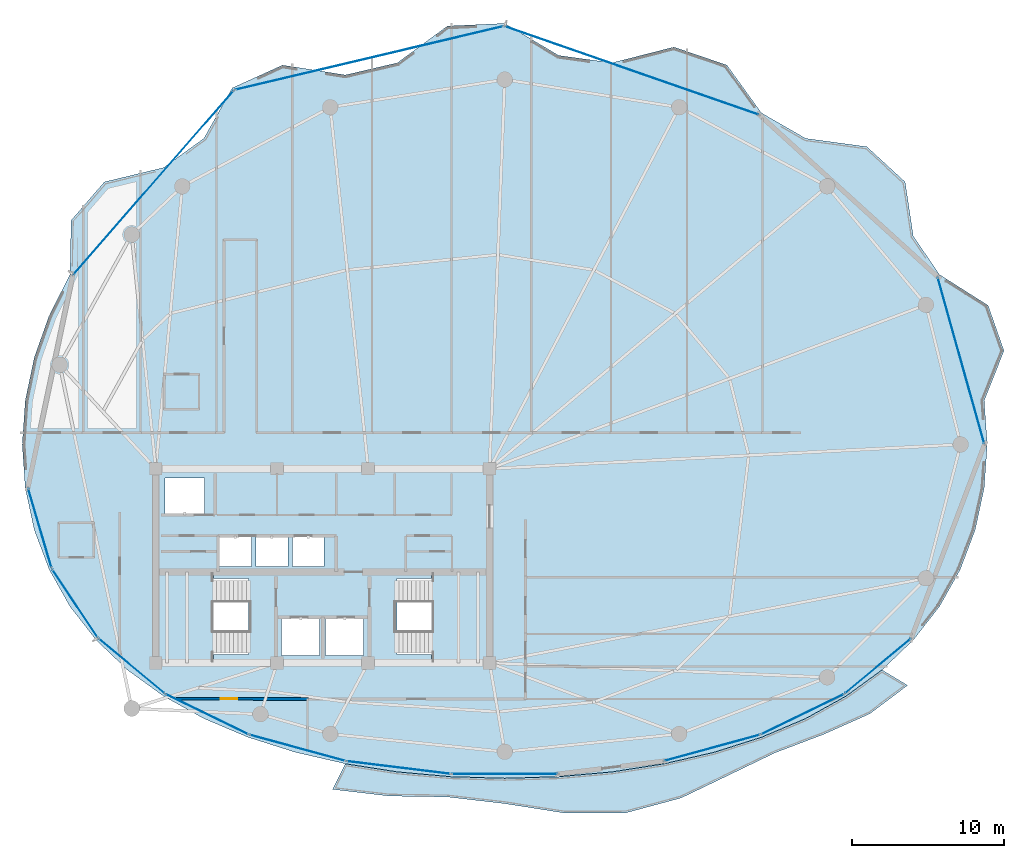
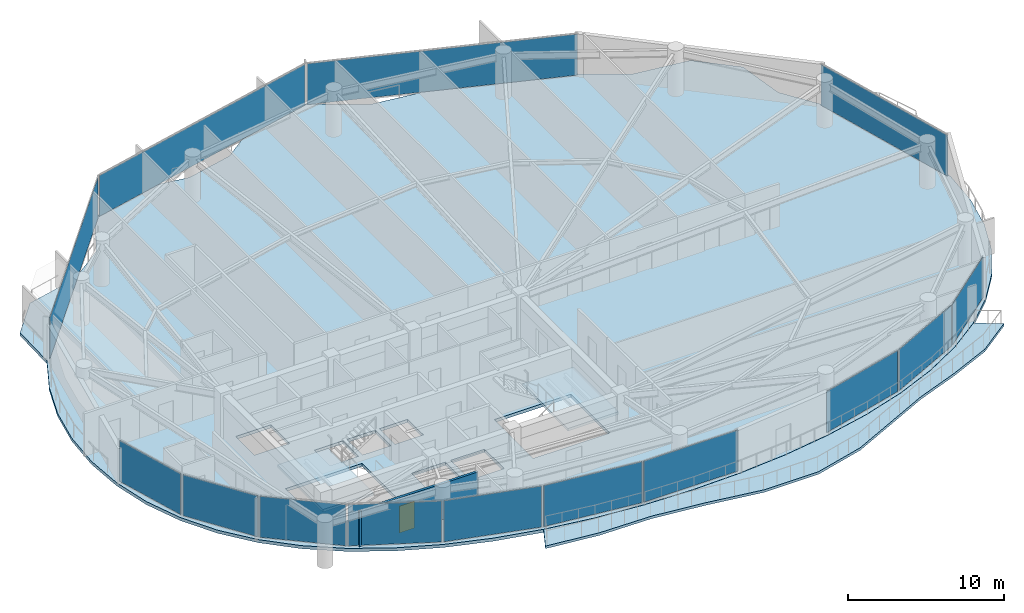
# One storey, part 22 of 29: 14 plates, 4 slabs, 1 door, 1 wall, 1 opening, 16 elements without a shape of their own.
"""IFC4 building model written with IfcOpenShell, lengths in metres."""

from ifc_helpers import new_model, si_unit, direction, frame, frame_2d, origin, origin_2d, place, context, subcontext, project, spatial, polyline, rectangle, outline, extrude, material, layer, layer_set, type_object, element, fill, aggregate, save


model = new_model("IFC4")

# Units and contexts
model_context = context("Model", 3, precision=1e-05, world=origin(), true_north=direction((0.0, 1.0)))
body_context = subcontext(model_context, "Body", "Model", "MODEL_VIEW")
ifc_project = project(units=[si_unit("LENGTHUNIT", "METRE"), si_unit("AREAUNIT", "SQUARE_METRE"), si_unit("VOLUMEUNIT", "CUBIC_METRE"), si_unit("PLANEANGLEUNIT", "RADIAN"), si_unit("MASSUNIT", "GRAM", prefix="KILO")], contexts=[model_context])

# Site, building, storey
site_placement = place(None, origin())
site = spatial("IfcSite", under=ifc_project, at=site_placement, CompositionType="ELEMENT")
building_placement = place(site_placement, origin())
building = spatial("IfcBuilding", under=site, at=building_placement, Name="Kazevale Care Tower and Concert Hall", CompositionType="ELEMENT")
storey_placement = place(building_placement, frame((0.0, 0.0, 199.199951171875)))
storey = spatial("IfcBuildingStorey", under=building, at=storey_placement, Name="L52", CompositionType="ELEMENT", Elevation=199.199951171875)

# Curtain wall, plate
ifc_material_1 = material(Name="Aluminium 6063-T6 and Low-E Glass", Category="aluminium")
ifc_layer_1 = layer(ifc_material_1, 0.179931640625)
ifc_layer_set_1 = layer_set([ifc_layer_1], Name="Aluminium 6063-T6 and Low-E Glass")
curtain_wall_type_1 = type_object("IfcCurtainWallType", Name="Convex Checkerboard Finned Curtain Wall CW-2", PredefinedType="NOTDEFINED", material=ifc_layer_set_1)
curtain_wall_1_placement = place(storey_placement, origin())
curtain_wall_1 = element("IfcCurtainWall", 1, at=curtain_wall_1_placement, inside=storey, type_object=curtain_wall_type_1, Name="cw:L52:f14", PredefinedType="NOTDEFINED")
ifc_material_2 = material(Name="Low-E Laminated Glass", Category="glass")
ifc_layer_2 = layer(ifc_material_2, 0.028076171875)
ifc_layer_set_2 = layer_set([ifc_layer_2], Name="Low-E Laminated Glass")
plate_type_1 = type_object("IfcPlateType", Name="CW-2 Low-E Glazing Panel 28mm", PredefinedType="CURTAIN_PANEL", material=ifc_layer_set_2)
plate_1_placement = place(storey_placement, frame((21.85009765625, 55.2529296875, 0.074951171875), z_axis=(0.0, 0.0, 1.0), x_axis=(0.657174776708, 0.753738225685, 0.0)))
plate_1 = element("IfcPlate", 2, at=plate_1_placement, type_object=plate_type_1, Name="CW-2 panel 1.1", PredefinedType="CURTAIN_PANEL", context=body_context, shape_type="SweptSolid", body=[
    extrude(rectangle(XDim=16.03662109375, YDim=0.028076171875, at=origin_2d()), origin(), (0.0, 0.0, 1.0), 3.2099609375),
])
aggregate(curtain_wall_1, [plate_1])

curtain_wall_2_placement = place(storey_placement, origin())
curtain_wall_2 = element("IfcCurtainWall", 3, at=curtain_wall_2_placement, inside=storey, type_object=curtain_wall_type_1, Name="cw:L52:f16", PredefinedType="NOTDEFINED")
plate_2_placement = place(storey_placement, frame((53.37451171875, 62.638427734375, 0.074951171875), z_axis=(0.0, 0.0, 1.0), x_axis=(0.94447485363, -0.328583704497, 0.0)))
plate_2 = element("IfcPlate", 4, at=plate_2_placement, type_object=plate_type_1, Name="CW-2 panel 1.1", PredefinedType="CURTAIN_PANEL", context=body_context, shape_type="SweptSolid", body=[
    extrude(rectangle(XDim=17.671142578125, YDim=0.028076171875, at=origin_2d()), origin(), (0.0, 0.0, 1.0), 3.2099609375),
])
aggregate(curtain_wall_2, [plate_2])

ifc_layer_3 = layer(ifc_material_1, 0.179931640625)
ifc_layer_set_3 = layer_set([ifc_layer_3], Name="Aluminium 6063-T6 and Low-E Glass")
curtain_wall_type_2 = type_object("IfcCurtainWallType", Name="Waist & Upper Residential Curtain Wall CW-4", PredefinedType="NOTDEFINED", material=ifc_layer_set_3)
curtain_wall_3_placement = place(storey_placement, origin())
curtain_wall_3 = element("IfcCurtainWall", 5, at=curtain_wall_3_placement, inside=storey, type_object=curtain_wall_type_2, Name="cw:L52:f11", PredefinedType="NOTDEFINED")
ifc_layer_4 = layer(ifc_material_2, 0.030029296875)
ifc_layer_set_4 = layer_set([ifc_layer_4], Name="Low-E Laminated Glass")
plate_type_2 = type_object("IfcPlateType", Name="CW-4 Low-E Glazing Panel 30mm", PredefinedType="CURTAIN_PANEL", material=ifc_layer_set_4)
plate_3_placement = place(storey_placement, frame((16.677978515625, 27.525390625, 0.080078125), z_axis=(0.0, 0.0, 1.0), x_axis=(-0.554616540853, 0.832106058512, 0.0)))
plate_3 = element("IfcPlate", 6, at=plate_3_placement, type_object=plate_type_2, Name="CW-4 panel 1.1", PredefinedType="CURTAIN_PANEL", context=body_context, shape_type="SweptSolid", body=[
    extrude(rectangle(XDim=5.357421875, YDim=0.030029296875, at=origin_2d()), origin(), (0.0, 0.0, 1.0), 3.199951171875),
])
aggregate(curtain_wall_3, [plate_3])

curtain_wall_4_placement = place(storey_placement, origin())
curtain_wall_4 = element("IfcCurtainWall", 7, at=curtain_wall_4_placement, inside=storey, type_object=curtain_wall_type_2, Name="cw:L52:f12", PredefinedType="NOTDEFINED")
plate_4_placement = place(storey_placement, frame((14.363525390625, 32.489013671875, 0.080078125), z_axis=(0.0, 0.0, 1.0), x_axis=(-0.282098184457, 0.959385539982, 0.0)))
plate_4 = element("IfcPlate", 8, at=plate_4_placement, type_object=plate_type_2, Name="CW-4 panel 1.1", PredefinedType="CURTAIN_PANEL", context=body_context, shape_type="SweptSolid", body=[
    extrude(rectangle(XDim=5.40185546875, YDim=0.030029296875, at=origin_2d()), origin(), (0.0, 0.0, 1.0), 3.199951171875),
])
aggregate(curtain_wall_4, [plate_4])

curtain_wall_5_placement = place(storey_placement, origin())
curtain_wall_5 = element("IfcCurtainWall", 9, at=curtain_wall_5_placement, inside=storey, type_object=curtain_wall_type_2, Name="cw:L52:f15", PredefinedType="NOTDEFINED")
plate_5_placement = place(storey_placement, frame((36.06298828125, 63.46240234375, 0.080078125), z_axis=(0.0, 0.0, 1.0), x_axis=(0.973086746233, 0.230439111929, 0.0)))
plate_5 = element("IfcPlate", 10, at=plate_5_placement, type_object=plate_type_2, Name="CW-4 panel 1.1", PredefinedType="CURTAIN_PANEL", context=body_context, shape_type="SweptSolid", body=[
    extrude(rectangle(XDim=18.11376953125, YDim=0.030029296875, at=origin_2d()), origin(), (0.0, 0.0, 1.0), 3.199951171875),
])
aggregate(curtain_wall_5, [plate_5])

curtain_wall_6_placement = place(storey_placement, origin())
curtain_wall_6 = element("IfcCurtainWall", 11, at=curtain_wall_6_placement, inside=storey, type_object=curtain_wall_type_2, Name="cw:L52:f18", PredefinedType="NOTDEFINED")
plate_6_placement = place(storey_placement, frame((75.071533203125, 43.531005859375, 0.080078125), z_axis=(0.0, 0.0, 1.0), x_axis=(0.269600864915, -0.962972156211, 0.0)))
plate_6 = element("IfcPlate", 12, at=plate_6_placement, type_object=plate_type_2, Name="CW-4 panel 1.1", PredefinedType="CURTAIN_PANEL", context=body_context, shape_type="SweptSolid", body=[
    extrude(rectangle(XDim=11.327392578125, YDim=0.030029296875, at=origin_2d()), origin(), (0.0, 0.0, 1.0), 3.199951171875),
])
aggregate(curtain_wall_6, [plate_6])

ifc_layer_5 = layer(ifc_material_1, 0.179931640625)
ifc_layer_set_5 = layer_set([ifc_layer_5], Name="Aluminium 6063-T6 and Low-E Glass")
curtain_wall_type_3 = type_object("IfcCurtainWallType", Name="Sheltered Concave Balcony Curtain Wall CW-5", PredefinedType="NOTDEFINED", material=ifc_layer_set_5)
curtain_wall_7_placement = place(storey_placement, origin())
curtain_wall_7 = element("IfcCurtainWall", 13, at=curtain_wall_7_placement, inside=storey, type_object=curtain_wall_type_3, Name="cw:L52:f02", PredefinedType="NOTDEFINED")
ifc_layer_6 = layer(ifc_material_2, 0.02587890625)
ifc_layer_set_6 = layer_set([ifc_layer_6], Name="Low-E Laminated Glass")
plate_type_3 = type_object("IfcPlateType", Name="CW-5 Low-E Glazing Panel 26mm", PredefinedType="CURTAIN_PANEL", material=ifc_layer_set_6)
plate_7_placement = place(storey_placement, frame((69.590576171875, 23.396484375, 0.074951171875), z_axis=(0.0, 0.0, 1.0), x_axis=(-0.768407210062, -0.639961217204, 0.0)))
plate_7 = element("IfcPlate", 14, at=plate_7_placement, type_object=plate_type_3, Name="CW-5 panel 1.1", PredefinedType="CURTAIN_PANEL", context=body_context, shape_type="SweptSolid", body=[
    extrude(rectangle(XDim=5.580078125, YDim=0.02587890625, at=origin_2d()), origin(), (0.0, 0.0, 1.0), 3.2099609375),
])
aggregate(curtain_wall_7, [plate_7])

curtain_wall_8_placement = place(storey_placement, origin())
curtain_wall_8 = element("IfcCurtainWall", 15, at=curtain_wall_8_placement, inside=storey, type_object=curtain_wall_type_3, Name="cw:L52:f03", PredefinedType="NOTDEFINED")
plate_8_placement = place(storey_placement, frame((64.62255859375, 20.218017578125, 0.074951171875), z_axis=(0.0, 0.0, 1.0), x_axis=(-0.89934566163, -0.437238357087, 0.0)))
plate_8 = element("IfcPlate", 16, at=plate_8_placement, type_object=plate_type_3, Name="CW-5 panel 1.1", PredefinedType="CURTAIN_PANEL", context=body_context, shape_type="SweptSolid", body=[
    extrude(rectangle(XDim=6.002197265625, YDim=0.02587890625, at=origin_2d()), origin(), (0.0, 0.0, 1.0), 3.2099609375),
])
aggregate(curtain_wall_8, [plate_8])

curtain_wall_9_placement = place(storey_placement, origin())
curtain_wall_9 = element("IfcCurtainWall", 17, at=curtain_wall_9_placement, inside=storey, type_object=curtain_wall_type_3, Name="cw:L52:f04", PredefinedType="NOTDEFINED")
plate_9_placement = place(storey_placement, frame((58.66259765625, 18.0029296875, 0.074951171875), z_axis=(0.0, 0.0, 1.0), x_axis=(-0.964836991167, -0.262848968947, 0.0)))
plate_9 = element("IfcPlate", 18, at=plate_9_placement, type_object=plate_type_3, Name="CW-5 panel 1.1", PredefinedType="CURTAIN_PANEL", context=body_context, shape_type="SweptSolid", body=[
    extrude(rectangle(XDim=6.4697265625, YDim=0.02587890625, at=origin_2d()), origin(), (0.0, 0.0, 1.0), 3.2099609375),
])
aggregate(curtain_wall_9, [plate_9])

curtain_wall_10_placement = place(storey_placement, origin())
curtain_wall_10 = element("IfcCurtainWall", 19, at=curtain_wall_10_placement, inside=storey, type_object=curtain_wall_type_3, Name="cw:L52:f06", PredefinedType="NOTDEFINED")
plate_10_placement = place(storey_placement, frame((45.0, 16.284912109375, 0.074951171875), z_axis=(0.0, 0.0, 1.0), x_axis=(-1.0, 0.0, 0.0)))
plate_10 = element("IfcPlate", 20, at=plate_10_placement, type_object=plate_type_3, Name="CW-5 panel 1.1", PredefinedType="CURTAIN_PANEL", context=body_context, shape_type="SweptSolid", body=[
    extrude(rectangle(XDim=6.949951171875, YDim=0.02587890625, at=origin_2d()), origin(), (0.0, 0.0, 1.0), 3.2099609375),
])
aggregate(curtain_wall_10, [plate_10])

curtain_wall_11_placement = place(storey_placement, origin())
curtain_wall_11 = element("IfcCurtainWall", 21, at=curtain_wall_11_placement, inside=storey, type_object=curtain_wall_type_3, Name="cw:L52:f07", PredefinedType="NOTDEFINED")
plate_11_placement = place(storey_placement, frame((37.990478515625, 16.708984375, 0.074951171875), z_axis=(0.0, 0.0, 1.0), x_axis=(-0.992572961225, 0.121650797964, 0.0)))
plate_11 = element("IfcPlate", 22, at=plate_11_placement, type_object=plate_type_3, Name="CW-5 panel 1.1", PredefinedType="CURTAIN_PANEL", context=body_context, shape_type="SweptSolid", body=[
    extrude(rectangle(XDim=6.82080078125, YDim=0.02587890625, at=origin_2d()), origin(), (0.0, 0.0, 1.0), 3.2099609375),
])
aggregate(curtain_wall_11, [plate_11])

curtain_wall_12_placement = place(storey_placement, origin())
curtain_wall_12 = element("IfcCurtainWall", 23, at=curtain_wall_12_placement, inside=storey, type_object=curtain_wall_type_3, Name="cw:L52:f08", PredefinedType="NOTDEFINED")
plate_12_placement = place(storey_placement, frame((31.33740234375, 18.0029296875, 0.074951171875), z_axis=(0.0, 0.0, 1.0), x_axis=(-0.964836991167, 0.262848968947, 0.0)))
plate_12 = element("IfcPlate", 24, at=plate_12_placement, type_object=plate_type_3, Name="CW-5 panel 1.1", PredefinedType="CURTAIN_PANEL", context=body_context, shape_type="SweptSolid", body=[
    extrude(rectangle(XDim=6.4697265625, YDim=0.02587890625, at=origin_2d()), origin(), (0.0, 0.0, 1.0), 3.2099609375),
])
aggregate(curtain_wall_12, [plate_12])

curtain_wall_13_placement = place(storey_placement, origin())
curtain_wall_13 = element("IfcCurtainWall", 25, at=curtain_wall_13_placement, inside=storey, type_object=curtain_wall_type_3, Name="cw:L52:f09", PredefinedType="NOTDEFINED")
plate_13_placement = place(storey_placement, frame((25.37744140625, 20.218017578125, 0.074951171875), z_axis=(0.0, 0.0, 1.0), x_axis=(-0.89934566163, 0.437238357087, 0.0)))
plate_13 = element("IfcPlate", 26, at=plate_13_placement, type_object=plate_type_3, Name="CW-5 panel 1.1", PredefinedType="CURTAIN_PANEL", context=body_context, shape_type="SweptSolid", body=[
    extrude(rectangle(XDim=6.002197265625, YDim=0.02587890625, at=origin_2d()), origin(), (0.0, 0.0, 1.0), 3.2099609375),
])
aggregate(curtain_wall_13, [plate_13])

curtain_wall_14_placement = place(storey_placement, origin())
curtain_wall_14 = element("IfcCurtainWall", 27, at=curtain_wall_14_placement, inside=storey, type_object=curtain_wall_type_3, Name="cw:L52:f10", PredefinedType="NOTDEFINED")
plate_14_placement = place(storey_placement, frame((20.409423828125, 23.396484375, 0.074951171875), z_axis=(0.0, 0.0, 1.0), x_axis=(-0.768407210062, 0.639961217204, 0.0)))
plate_14 = element("IfcPlate", 28, at=plate_14_placement, type_object=plate_type_3, Name="CW-5 panel 1.1", PredefinedType="CURTAIN_PANEL", context=body_context, shape_type="SweptSolid", body=[
    extrude(rectangle(XDim=5.580078125, YDim=0.02587890625, at=origin_2d()), origin(), (0.0, 0.0, 1.0), 3.2099609375),
])
aggregate(curtain_wall_14, [plate_14])

# Slab
ifc_material_3 = material(Name="Concrete C40", Category="concrete")
ifc_layer_7 = layer(ifc_material_3, 0.199951171875)
ifc_layer_set_7 = layer_set([ifc_layer_7], Name="Concrete C40")
slab_type_1 = type_object("IfcSlabType", Name="Sinusoidal Concave Balcony Slab 200", PredefinedType="USERDEFINED", material=ifc_layer_set_7)
slab_1_placement = place(storey_placement, frame((0.0, 0.0, -0.199951171875)))
element("IfcSlab", 29, at=slab_1_placement, inside=storey, type_object=slab_type_1, Name="slab:L52:bal", ObjectType="BALCONY", PredefinedType="USERDEFINED", context=body_context, shape_type="SweptSolid", body=[
    extrude(outline(polyline([(71.552978515625, 22.126220703125), (69.058837890625, 20.250244140625), (65.982421875, 18.881103515625), (62.81591796875, 17.68017578125), (59.806884765625, 16.2294921875), (56.627685546875, 14.702392578125), (52.9638671875, 13.71533203125), (48.950439453125, 13.706787109375), (45.0, 14.329833984375), (41.22216796875, 14.7685546875), (37.401123046875, 14.828369140625), (33.65478515625, 15.2685546875), (34.494873046875, 16.951416015625), (34.49609375, 16.951171875), (37.923095703125, 16.417236328125), (41.439208984375, 16.10009765625), (45.0, 15.9951171875), (48.560791015625, 16.10009765625), (52.076904296875, 16.417236328125), (55.50390625, 16.951171875), (58.798828125, 17.708740234375), (61.92041015625, 18.69873046875), (64.8291015625, 19.92919921875), (67.48876953125, 21.406494140625), (69.865478515625, 23.133056640625), (69.86669921875, 23.13427734375), (71.552978515625, 22.126220703125)])), origin(), (0.0, 0.0, 1.0), 0.199951171875),
])

# Stair, slab
stair_type = type_object("IfcStairType", Name="Exit Stair Assembly ST1-Z3", PredefinedType="HALF_TURN_STAIR", material=ifc_material_3)
stair_1_placement = place(storey_placement, origin())
stair_1 = element("IfcStair", 30, at=stair_1_placement, inside=storey, type_object=stair_type, Name="stair:L52:ST1", PredefinedType="HALF_TURN_STAIR")
ifc_layer_8 = layer(ifc_material_3, 0.199951171875)
ifc_layer_set_8 = layer_set([ifc_layer_8], Name="Concrete C40")
slab_type_2 = type_object("IfcSlabType", Name="Stair Half-Landing Slab ST1-Z3", PredefinedType="LANDING", material=ifc_layer_set_8)
slab_2_placement = place(storey_placement, frame((0.0, 0.0, 1.60009765625)))
slab_2 = element("IfcSlab", 31, at=slab_2_placement, type_object=slab_type_2, Name="ST1-Z3 landing 1", PredefinedType="LANDING", context=body_context, shape_type="SweptSolid", body=[
    extrude(outline(polyline([(22.050048828125, 23.699951171875), (25.81005859375, 23.699951171875), (25.81005859375, 29.5), (22.050048828125, 29.5), (22.050048828125, 23.699951171875)])), origin(), (0.0, 0.0, 1.0), 0.199951171875),
])
aggregate(stair_1, [slab_2])

stair_2_placement = place(storey_placement, origin())
stair_2 = element("IfcStair", 32, at=stair_2_placement, inside=storey, type_object=stair_type, Name="stair:L52:ST2", PredefinedType="HALF_TURN_STAIR")
slab_3_placement = place(storey_placement, frame((0.0, 0.0, 1.60009765625)))
slab_3 = element("IfcSlab", 33, at=slab_3_placement, type_object=slab_type_2, Name="ST1-Z3 landing 1", PredefinedType="LANDING", context=body_context, shape_type="SweptSolid", body=[
    extrude(outline(polyline([(40.18994140625, 23.699951171875), (43.949951171875, 23.699951171875), (43.949951171875, 29.5), (40.18994140625, 29.5), (40.18994140625, 23.699951171875)])), origin(), (0.0, 0.0, 1.0), 0.199951171875),
])
aggregate(stair_2, [slab_3])

# Slab
ifc_layer_9 = layer(ifc_material_3, 0.239990234375)
ifc_layer_set_9 = layer_set([ifc_layer_9], Name="Concrete C40")
slab_type_3 = type_object("IfcSlabType", Name="Tower Typical Floor Slab 240", PredefinedType="FLOOR", material=ifc_layer_set_9)
slab_4_placement = place(storey_placement, frame((0.0, 0.0, -0.239990234375)))
element("IfcSlab", 34, at=slab_4_placement, inside=storey, type_object=slab_type_3, Name="slab:L52:tw:1", PredefinedType="FLOOR", context=body_context, shape_type="SweptSolid", body=[
    extrude(outline(polyline([(76.800048828125, 38.0), (76.60009765625, 40.888671875), (77.90380859375, 44.175048828125), (76.856201171875, 47.165283203125), (73.65087890625, 49.194091796875), (71.92578125, 51.726318359375), (71.38671875, 55.3017578125), (68.864990234375, 57.622314453125), (64.826904296875, 58.17138671875), (61.918701171875, 59.845458984375), (59.6435546875, 63.001953125), (56.14697265625, 64.19287109375), (52.076171875, 63.153076171875), (48.560546875, 63.6376953125), (45.0, 65.75), (41.22119140625, 65.575439453125), (37.923828125, 63.153076171875), (34.4970703125, 62.352294921875), (30.3564453125, 63.001953125), (27.0439453125, 61.49658203125), (25.173095703125, 58.17138671875), (22.513916015625, 56.243408203125), (18.61328125, 55.3017578125), (16.423095703125, 52.763916015625), (16.34912109375, 49.194091796875), (14.984619140625, 46.521240234375), (13.997314453125, 43.740966796875), (13.39990234375, 40.888671875), (13.199951171875, 38.0), (13.39990234375, 35.131103515625), (13.997314453125, 32.362060546875), (14.984619140625, 29.744873046875), (16.34912109375, 27.318115234375), (18.07421875, 25.109130859375), (20.1376953125, 23.13671875), (22.513916015625, 21.41064453125), (25.173095703125, 19.933837890625), (28.081298828125, 18.70361328125), (31.202392578125, 17.713623046875), (34.4970703125, 16.9560546875), (37.923828125, 16.422119140625), (41.439453125, 16.10498046875), (45.0, 16.0), (48.560546875, 16.10498046875), (52.076171875, 16.422119140625), (55.5029296875, 16.9560546875), (58.797607421875, 17.713623046875), (61.918701171875, 18.70361328125), (64.826904296875, 19.933837890625), (67.486083984375, 21.41064453125), (69.8623046875, 23.13671875), (71.92578125, 25.109130859375), (73.65087890625, 27.318115234375), (75.015380859375, 29.744873046875), (76.002685546875, 32.362060546875), (76.60009765625, 35.131103515625), (76.800048828125, 38.0)]), holes=[polyline([(22.449951171875, 24.14990234375), (28.110107421875, 24.14990234375), (28.110107421875, 29.14990234375), (22.449951171875, 29.14990234375), (22.449951171875, 24.14990234375)]), polyline([(37.889892578125, 24.14990234375), (43.550048828125, 24.14990234375), (43.550048828125, 29.14990234375), (37.889892578125, 29.14990234375), (37.889892578125, 24.14990234375)]), polyline([(30.300048828125, 24.10009765625), (32.800048828125, 24.10009765625), (32.800048828125, 26.60009765625), (30.300048828125, 26.60009765625), (30.300048828125, 24.10009765625)]), polyline([(33.199951171875, 24.10009765625), (35.699951171875, 24.10009765625), (35.699951171875, 26.60009765625), (33.199951171875, 26.60009765625), (33.199951171875, 24.10009765625)]), polyline([(22.60009765625, 33.39990234375), (25.199951171875, 33.39990234375), (25.199951171875, 35.800048828125), (22.60009765625, 35.800048828125), (22.60009765625, 33.39990234375)]), polyline([(26.199951171875, 29.949951171875), (28.300048828125, 29.949951171875), (28.300048828125, 31.949951171875), (26.199951171875, 31.949951171875), (26.199951171875, 29.949951171875)]), polyline([(28.60009765625, 29.949951171875), (30.699951171875, 29.949951171875), (30.699951171875, 31.949951171875), (28.60009765625, 31.949951171875), (28.60009765625, 29.949951171875)]), polyline([(31.0, 29.949951171875), (33.10009765625, 29.949951171875), (33.10009765625, 31.949951171875), (31.0, 31.949951171875), (31.0, 29.949951171875)])]), origin(), (0.0, 0.0, 1.0), 0.239990234375),
])

# Wall, opening, door
ifc_material_4 = material(Name="Concrete C40 and Acoustic Gypsum", Category="concrete")
ifc_layer_10 = layer(ifc_material_4, 0.179931640625)
ifc_layer_set_10 = layer_set([ifc_layer_10], Name="Concrete C40 and Acoustic Gypsum")
wall_type = type_object("IfcWallType", Name="Fire-Rated Corridor & Party Wall 180", PredefinedType="PARTITIONING", material=ifc_layer_set_10)
wall_placement = place(storey_placement, frame((32.06494140625, 21.22509765625, 0.0), z_axis=(0.0, 0.0, 1.0), x_axis=(-0.999998107366, 0.001945575683, 0.0)))
wall = element("IfcWall", 35, at=wall_placement, inside=storey, type_object=wall_type, Name="wall:L52:auto_020", PredefinedType="PARTITIONING", context=body_context, shape_type="SweptSolid", body=[
    extrude(rectangle(XDim=8.783935546875, YDim=0.179931640625, at=frame_2d((4.39208984375, 0.0))), origin(), (0.0, 0.0, 1.0), 2.80615234375),
])
opening_placement = place(wall_placement, frame((4.678955078125, 0.0, 0.0)))
opening = element("IfcOpeningElement", 36, at=opening_placement, cuts=wall, Name="Opening ID-1100", PredefinedType="OPENING", context=body_context, shape_type="SweptSolid", body=[
    extrude(rectangle(XDim=1.10009765625, YDim=2.10009765625, at=frame_2d((0.550048828125, 1.050048828125))), frame((0.0, 0.099853515625, 0.0), z_axis=(0.0, -1.0, 0.0), x_axis=(1.0, 0.0, 0.0)), (0.0, 0.0, 1.0), 0.199951171875),
])
ifc_material_5 = material(Name="Oak Timber Fire Leaf", Category="wood")
door_type = type_object("IfcDoorType", Name="Care Bedroom Accessible Door 1100x2100", OperationType="NOTDEFINED", PredefinedType="DOOR", material=ifc_material_5)
door_placement = place(opening_placement, origin())
door = element("IfcDoor", 37, at=door_placement, inside=storey, type_object=door_type, Name="door:L52:ad_020", OperationType="SINGLE_SWING_LEFT", OverallHeight=2.10009765625, OverallWidth=1.10009765625, PredefinedType="DOOR", context=body_context, shape_type="SweptSolid", body=[
    extrude(rectangle(XDim=1.10009765625, YDim=2.10009765625, at=frame_2d((0.550048828125, 1.050048828125))), frame((0.0, 0.02490234375, 0.0), z_axis=(0.0, -1.0, 0.0), x_axis=(1.0, 0.0, 0.0)), (0.0, 0.0, 1.0), 0.050048828125),
])
fill(opening, door)

save(model, "model.ifc")
